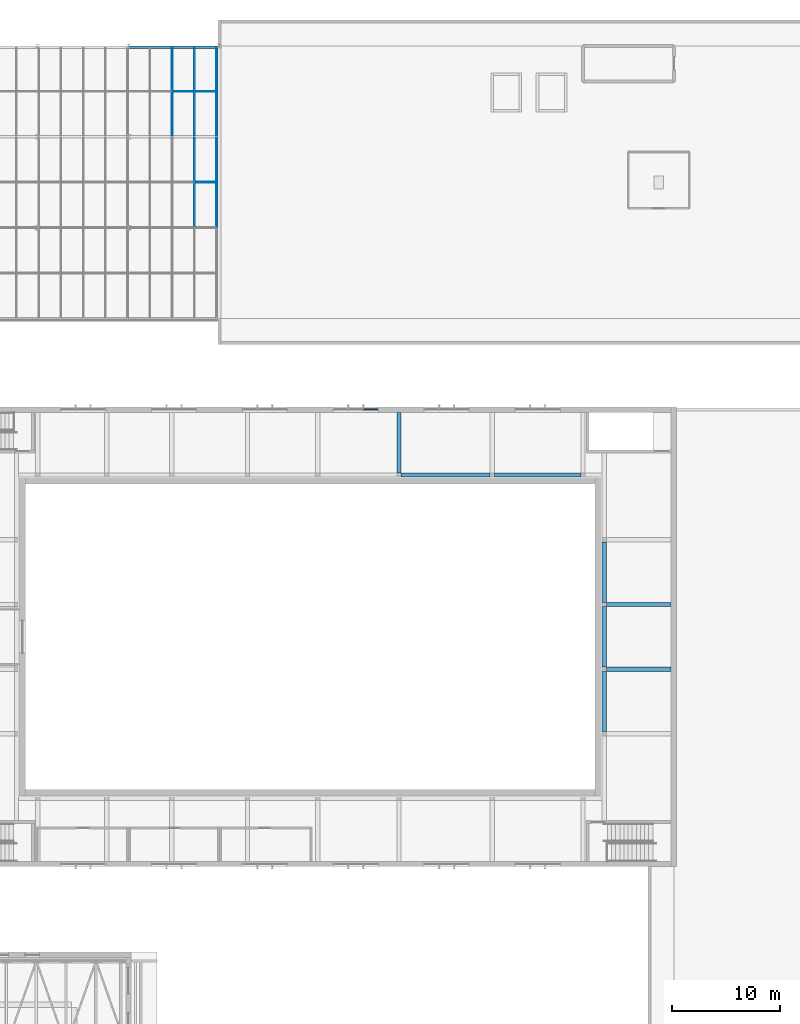
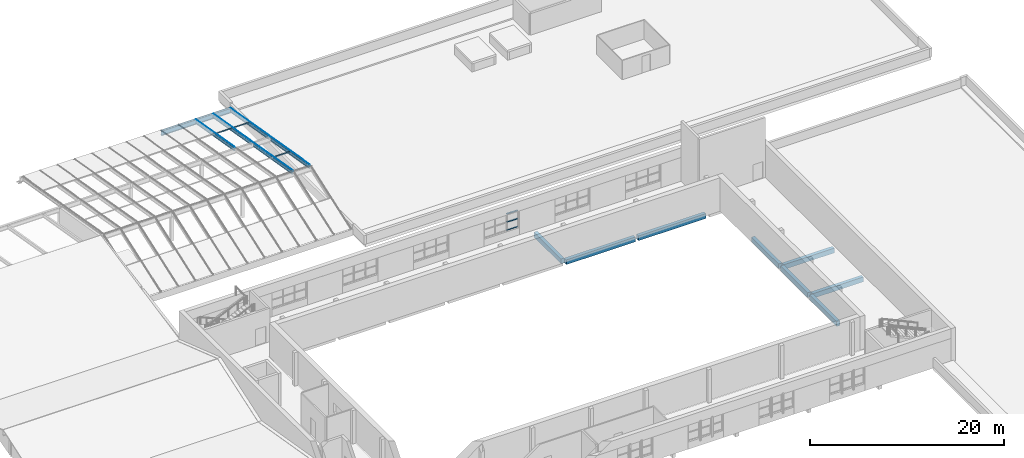
# One storey, part 28 of 60: 14 beams, 11 members, 2 elements without a shape of their own.
"""IFC4 building model written with IfcOpenShell, lengths in metres."""

from ifc_helpers import new_model, si_unit, direction, frame, origin, origin_2d, place, context, subcontext, project, spatial, rectangle, i_section, extrude, material, material_profile, profile_set, type_object, element, aggregate, save


model = new_model("IFC4")

# Units and contexts
model_context = context("Model", 3, precision=1e-05, world=origin(), true_north=direction((0.0, 1.0)))
body_context = subcontext(model_context, "Body", "Model", "MODEL_VIEW")
ifc_project = project(units=[si_unit("LENGTHUNIT", "METRE"), si_unit("AREAUNIT", "SQUARE_METRE"), si_unit("VOLUMEUNIT", "CUBIC_METRE"), si_unit("PLANEANGLEUNIT", "RADIAN"), si_unit("MASSUNIT", "GRAM", prefix="KILO")], contexts=[model_context])

# Site, building, storey
site_placement = place(None, origin())
site = spatial("IfcSite", under=ifc_project, at=site_placement, CompositionType="ELEMENT")
building_placement = place(site_placement, origin())
building = spatial("IfcBuilding", under=site, at=building_placement, Name="Ljudholm Concert House", CompositionType="ELEMENT")
storey_placement = place(building_placement, frame((0.0, 0.0, 15.0)))
storey = spatial("IfcBuildingStorey", under=building, at=storey_placement, Name="L03", CompositionType="ELEMENT", Elevation=15.0)

# Curtain wall, members
ifc_material_1 = material(Name="Aluminium roof glazing with impact-rated laminated glass", Category="aluminium")
curtain_wall_type_1 = type_object("IfcCurtainWallType", Name="GLAZED LANTERN ROOF", PredefinedType="NOTDEFINED", material=ifc_material_1)
curtain_wall_1_placement = place(storey_placement, origin())
curtain_wall_1 = element("IfcCurtainWall", 1, at=curtain_wall_1_placement, inside=storey, type_object=curtain_wall_type_1, Name="Glazed lantern roof", PredefinedType="NOTDEFINED")
ifc_material_2 = material(Name="Aluminium extrusion", Category="aluminium")
ifc_material_profile_1 = material_profile(ifc_material_2, rectangle(XDim=0.06005859375, YDim=0.05810546875, at=origin_2d()), Name="LANTERN GLAZING BAR 60x58")
ifc_profile_set_1 = profile_set([ifc_material_profile_1], Name="Aluminium extrusion")
member_type_1 = type_object("IfcMemberType", Name="LANTERN GLAZING BAR 60x58", PredefinedType="MULLION", material=ifc_profile_set_1)
member_1_placement = place(storey_placement, frame((52.095947265625, 113.320068359375, 3.580078125), z_axis=(0.0, 0.985738215481, -0.168285978444), x_axis=(-1.0, 0.0, 0.0)))
member_1 = element("IfcMember", 2, at=member_1_placement, type_object=member_type_1, Name="Glazing bar", PredefinedType="MULLION", context=body_context, shape_type="SweptSolid", body=[
    extrude(rectangle(XDim=0.06005859375, YDim=0.05810546875, at=origin_2d()), origin(), (0.0, 0.0, 1.0), 8.278076171875),
])
member_2_placement = place(storey_placement, frame((54.14990234375, 113.320068359375, 3.580078125), z_axis=(0.0, 0.985738215481, -0.168285978444), x_axis=(-1.0, 0.0, 0.0)))
member_2 = element("IfcMember", 3, at=member_2_placement, type_object=member_type_1, Name="Glazing bar", PredefinedType="MULLION", context=body_context, shape_type="SweptSolid", body=[
    extrude(rectangle(XDim=0.06005859375, YDim=0.05810546875, at=origin_2d()), origin(), (0.0, 0.0, 1.0), 8.278076171875),
])
member_3_placement = place(storey_placement, frame((50.041748046875, 121.719970703125, 2.14599609375), z_axis=(0.0, 0.985741145728, -0.168268813569), x_axis=(-1.0, 0.0, 0.0)))
member_3 = element("IfcMember", 4, at=member_3_placement, type_object=member_type_1, Name="Glazing bar", PredefinedType="MULLION", context=body_context, shape_type="SweptSolid", body=[
    extrude(rectangle(XDim=0.06005859375, YDim=0.05810546875, at=origin_2d()), origin(), (0.0, 0.0, 1.0), 8.161376953125),
])
member_4_placement = place(storey_placement, frame((52.095947265625, 121.719970703125, 2.14599609375), z_axis=(0.0, 0.985741145728, -0.168268813569), x_axis=(-1.0, 0.0, 0.0)))
member_4 = element("IfcMember", 5, at=member_4_placement, type_object=member_type_1, Name="Glazing bar", PredefinedType="MULLION", context=body_context, shape_type="SweptSolid", body=[
    extrude(rectangle(XDim=0.06005859375, YDim=0.05810546875, at=origin_2d()), origin(), (0.0, 0.0, 1.0), 8.161376953125),
])
member_5_placement = place(storey_placement, frame((54.14990234375, 121.719970703125, 2.14599609375), z_axis=(0.0, 0.985741145728, -0.168268813569), x_axis=(-1.0, 0.0, 0.0)))
member_5 = element("IfcMember", 6, at=member_5_placement, type_object=member_type_1, Name="Glazing bar", PredefinedType="MULLION", context=body_context, shape_type="SweptSolid", body=[
    extrude(rectangle(XDim=0.06005859375, YDim=0.05810546875, at=origin_2d()), origin(), (0.0, 0.0, 1.0), 8.161376953125),
])
ifc_material_3 = material(Name="Aluminium extrusion", Category="aluminium")
ifc_material_profile_2 = material_profile(ifc_material_3, rectangle(XDim=0.06005859375, YDim=0.080078125, at=origin_2d()), Name="LANTERN TRANSOM 60x80")
ifc_profile_set_2 = profile_set([ifc_material_profile_2], Name="Aluminium extrusion")
member_type_2 = type_object("IfcMemberType", Name="LANTERN TRANSOM 60x80", PredefinedType="USERDEFINED", material=ifc_profile_set_2)
member_6_placement = place(storey_placement, frame((52.166259765625, 117.39990234375, 2.814697265625), z_axis=(1.0, 0.0, 0.0), x_axis=(0.0, 1.0, 0.0)))
member_6 = element("IfcMember", 7, at=member_6_placement, type_object=member_type_2, Name="Lantern transom", ObjectType="TRANSOM", PredefinedType="USERDEFINED", context=body_context, shape_type="SweptSolid", body=[
    extrude(rectangle(XDim=0.06005859375, YDim=0.080078125, at=origin_2d()), origin(), (0.0, 0.0, 1.0), 1.913330078125),
])
member_7_placement = place(storey_placement, frame((50.112060546875, 125.800048828125, 1.380615234375), z_axis=(1.0, 0.0, 0.0), x_axis=(0.0, 1.0, 0.0)))
member_7 = element("IfcMember", 8, at=member_7_placement, type_object=member_type_2, Name="Lantern transom", ObjectType="TRANSOM", PredefinedType="USERDEFINED", context=body_context, shape_type="SweptSolid", body=[
    extrude(rectangle(XDim=0.06005859375, YDim=0.080078125, at=origin_2d()), origin(), (0.0, 0.0, 1.0), 1.913330078125),
])
member_8_placement = place(storey_placement, frame((52.166259765625, 125.800048828125, 1.380615234375), z_axis=(1.0, 0.0, 0.0), x_axis=(0.0, 1.0, 0.0)))
member_8 = element("IfcMember", 9, at=member_8_placement, type_object=member_type_2, Name="Lantern transom", ObjectType="TRANSOM", PredefinedType="USERDEFINED", context=body_context, shape_type="SweptSolid", body=[
    extrude(rectangle(XDim=0.06005859375, YDim=0.080078125, at=origin_2d()), origin(), (0.0, 0.0, 1.0), 1.913330078125),
])
aggregate(curtain_wall_1, [member_1, member_2, member_6, member_3, member_4, member_5, member_7, member_8])

# Beams
ifc_material_4 = material(Name="Concrete 6,500 psi", Category="concrete")
ifc_material_profile_3 = material_profile(ifc_material_4, rectangle(XDim=0.39990234375, YDim=0.60009765625, at=origin_2d()), Name="RC BEAM 400x600")
ifc_profile_set_3 = profile_set([ifc_material_profile_3], Name="Concrete 6,500 psi")
beam_type_1 = type_object("IfcBeamType", Name="RC BEAM 400x600", PredefinedType="BEAM", material=ifc_profile_set_3)
beam_1_placement = place(storey_placement, frame((71.199951171875, 90.35009765625, -0.550048828125), z_axis=(1.0, 0.0, 0.0), x_axis=(0.0, 1.0, 0.0)))
element("IfcBeam", 10, at=beam_1_placement, inside=storey, type_object=beam_type_1, Name="Ring beam", PredefinedType="BEAM", context=body_context, shape_type="SweptSolid", body=[
    extrude(rectangle(XDim=0.39990234375, YDim=0.60009765625, at=origin_2d()), origin(), (0.0, 0.0, 1.0), 8.199951171875),
])
beam_2_placement = place(storey_placement, frame((79.800048828125, 90.35009765625, -0.550048828125), z_axis=(1.0, 0.0, 0.0), x_axis=(0.0, 1.0, 0.0)))
element("IfcBeam", 11, at=beam_2_placement, inside=storey, type_object=beam_type_1, Name="Ring beam", PredefinedType="BEAM", context=body_context, shape_type="SweptSolid", body=[
    extrude(rectangle(XDim=0.39990234375, YDim=0.60009765625, at=origin_2d()), origin(), (0.0, 0.0, 1.0), 8.0),
])
beam_3_placement = place(storey_placement, frame((89.949951171875, 66.6298828125, -0.550048828125), z_axis=(0.0, 1.0, 0.0), x_axis=(-1.0, 0.0, 0.0)))
element("IfcBeam", 12, at=beam_3_placement, inside=storey, type_object=beam_type_1, Name="Ring beam", PredefinedType="BEAM", context=body_context, shape_type="SweptSolid", body=[
    extrude(rectangle(XDim=0.39990234375, YDim=0.60009765625, at=origin_2d()), origin(), (0.0, 0.0, 1.0), 5.580078125),
])
for number, where, z_axis, x_axis, name in (
    (13, (89.949951171875, 72.610107421875, -0.550048828125), (0.0, 1.0, 0.0), (-1.0, 0.0, 0.0), "Ring beam"),
    (14, (89.949951171875, 78.590087890625, -0.550048828125), (0.0, 1.0, 0.0), (-1.0, 0.0, 0.0), "Ring beam"),
):
    element("IfcBeam", number, at=place(storey_placement, frame(where, z_axis=z_axis, x_axis=x_axis)), inside=storey, type_object=beam_type_1, Name=name, PredefinedType="BEAM", context=body_context, shape_type="SweptSolid", body=[
        extrude(rectangle(XDim=0.39990234375, YDim=0.60009765625, at=origin_2d()), origin(), (0.0, 0.0, 1.0), 5.579833984375),
    ])
beam_4_placement = place(storey_placement, frame((71.0, 90.550048828125, -0.550048828125), z_axis=(0.0, 1.0, 0.0), x_axis=(-1.0, 0.0, 0.0)))
element("IfcBeam", 15, at=beam_4_placement, inside=storey, type_object=beam_type_1, Name="Ring cross beam", PredefinedType="BEAM", context=body_context, shape_type="SweptSolid", body=[
    extrude(rectangle(XDim=0.39990234375, YDim=0.60009765625, at=origin_2d()), origin(), (0.0, 0.0, 1.0), 5.599853515625),
])
for number, where, z_axis, x_axis, name in (
    (16, (90.14990234375, 72.409912109375, -0.550048828125), (1.0, 0.0, 0.0), (0.0, 1.0, 0.0), "Ring cross beam"),
    (17, (90.14990234375, 78.389892578125, -0.550048828125), (1.0, 0.0, 0.0), (0.0, 1.0, 0.0), "Ring cross beam"),
):
    element("IfcBeam", number, at=place(storey_placement, frame(where, z_axis=z_axis, x_axis=x_axis)), inside=storey, type_object=beam_type_1, Name=name, PredefinedType="BEAM", context=body_context, shape_type="SweptSolid", body=[
        extrude(rectangle(XDim=0.39990234375, YDim=0.60009765625, at=origin_2d()), origin(), (0.0, 0.0, 1.0), 6.0),
    ])
ifc_material_5 = material(Name="Steel ASTM A992", Category="steel")
ifc_material_profile_4 = material_profile(ifc_material_5, i_section(OverallWidth=0.177734375, OverallDepth=0.406494140625, WebThickness=0.0078125, FlangeThickness=0.012939453125, FilletRadius=0.01025390625, at=origin_2d()), Name="W16X40")
ifc_profile_set_4 = profile_set([ifc_material_profile_4], Name="Steel ASTM A992")
beam_type_2 = type_object("IfcBeamType", Name="STEEL BEAM W16X40", PredefinedType="BEAM", material=ifc_profile_set_4)
for number, where, z_axis, x_axis, name in (
    (18, (52.095947265625, 113.348388671875, 3.340087890625), (0.0, 0.985740150522, -0.168274643513), (-1.0, 0.0, 0.0), "Roof rafter"),
    (19, (54.14990234375, 113.348388671875, 3.340087890625), (0.0, 0.985740150522, -0.168274643513), (-1.0, 0.0, 0.0), "Roof rafter"),
):
    element("IfcBeam", number, at=place(storey_placement, frame(where, z_axis=z_axis, x_axis=x_axis)), inside=storey, type_object=beam_type_2, Name=name, PredefinedType="BEAM", context=body_context, shape_type="SweptSolid", body=[
        extrude(i_section(OverallWidth=0.177734375, OverallDepth=0.406494140625, WebThickness=0.0078125, FlangeThickness=0.012939453125, FilletRadius=0.01025390625, at=origin_2d()), origin(), (0.0, 0.0, 1.0), 8.220458984375),
    ])
for number, where, z_axis, x_axis, name in (
    (20, (50.041748046875, 121.74853515625, 1.906005859375), (0.0, 0.985742276271, -0.168262190561), (-1.0, 0.0, 0.0), "Roof rafter"),
    (21, (52.095947265625, 121.74853515625, 1.906005859375), (0.0, 0.985742276271, -0.168262190561), (-1.0, 0.0, 0.0), "Roof rafter"),
    (22, (54.14990234375, 121.74853515625, 1.906005859375), (0.0, 0.985742276271, -0.168262190561), (-1.0, 0.0, 0.0), "Roof rafter"),
):
    element("IfcBeam", number, at=place(storey_placement, frame(where, z_axis=z_axis, x_axis=x_axis)), inside=storey, type_object=beam_type_2, Name=name, PredefinedType="BEAM", context=body_context, shape_type="SweptSolid", body=[
        extrude(i_section(OverallWidth=0.177734375, OverallDepth=0.406494140625, WebThickness=0.0078125, FlangeThickness=0.012939453125, FilletRadius=0.01025390625, at=origin_2d()), origin(), (0.0, 0.0, 1.0), 8.103515625),
    ])
ifc_material_6 = material(Name="Steel ASTM A992", Category="steel")
ifc_material_profile_5 = material_profile(ifc_material_6, i_section(OverallWidth=0.22900390625, OverallDepth=0.612060546875, WebThickness=0.011962890625, FlangeThickness=0.01953125, FilletRadius=0.0126953125, at=origin_2d()), Name="W24X84")
ifc_profile_set_5 = profile_set([ifc_material_profile_5], Name="Steel ASTM A992")
beam_type_3 = type_object("IfcBeamType", Name="STEEL BEAM W24X84", PredefinedType="BEAM", material=ifc_profile_set_5)
beam_5_placement = place(storey_placement, frame((46.0, 129.885009765625, 0.417236328125), z_axis=(1.0, 0.0, 0.0), x_axis=(0.0, 1.0, 0.0)))
element("IfcBeam", 23, at=beam_5_placement, inside=storey, type_object=beam_type_3, Name="Roof girder", PredefinedType="BEAM", context=body_context, shape_type="SweptSolid", body=[
    extrude(i_section(OverallWidth=0.22900390625, OverallDepth=0.612060546875, WebThickness=0.011962890625, FlangeThickness=0.01953125, FilletRadius=0.0126953125, at=origin_2d()), origin(), (0.0, 0.0, 1.0), 8.25),
])

# Curtain wall, members
ifc_material_7 = material(Name="Aluminium curtain wall with impact-rated laminated glass", Category="aluminium")
curtain_wall_type_2 = type_object("IfcCurtainWallType", Name="CURTAIN WALL 1400", PredefinedType="NOTDEFINED", material=ifc_material_7)
curtain_wall_2_placement = place(storey_placement, origin())
curtain_wall_2 = element("IfcCurtainWall", 24, at=curtain_wall_2_placement, inside=storey, type_object=curtain_wall_type_2, Name="Promenade curtain wall", PredefinedType="NOTDEFINED")
ifc_material_8 = material(Name="Aluminium extrusion", Category="aluminium")
ifc_material_profile_6 = material_profile(ifc_material_8, rectangle(XDim=0.1201171875, YDim=0.06005859375, at=origin_2d()), Name="TRANSOM 60x120")
ifc_profile_set_6 = profile_set([ifc_material_profile_6], Name="Aluminium extrusion")
member_type_3 = type_object("IfcMemberType", Name="TRANSOM 60x120", PredefinedType="USERDEFINED", material=ifc_profile_set_6)
member_9_placement = place(storey_placement, frame((67.719970703125, 96.39990234375, 0.929931640625), z_axis=(1.0, 0.0, 0.0), x_axis=(0.0, 1.0, 0.0)))
member_9 = element("IfcMember", 25, at=member_9_placement, type_object=member_type_3, Name="Transom", ObjectType="TRANSOM", PredefinedType="USERDEFINED", context=body_context, shape_type="SweptSolid", body=[
    extrude(rectangle(XDim=0.1201171875, YDim=0.06005859375, at=origin_2d()), origin(), (0.0, 0.0, 1.0), 1.2900390625),
])
member_10_placement = place(storey_placement, frame((67.719970703125, 96.39990234375, 1.949951171875), z_axis=(1.0, 0.0, 0.0), x_axis=(0.0, 1.0, 0.0)))
member_10 = element("IfcMember", 26, at=member_10_placement, type_object=member_type_3, Name="Transom", ObjectType="TRANSOM", PredefinedType="USERDEFINED", context=body_context, shape_type="SweptSolid", body=[
    extrude(rectangle(XDim=0.1201171875, YDim=0.06005859375, at=origin_2d()), origin(), (0.0, 0.0, 1.0), 1.2900390625),
])
member_11_placement = place(storey_placement, frame((67.719970703125, 96.39990234375, 2.969970703125), z_axis=(1.0, 0.0, 0.0), x_axis=(0.0, 1.0, 0.0)))
member_11 = element("IfcMember", 27, at=member_11_placement, type_object=member_type_3, Name="Transom", ObjectType="TRANSOM", PredefinedType="USERDEFINED", context=body_context, shape_type="SweptSolid", body=[
    extrude(rectangle(XDim=0.1201171875, YDim=0.06005859375, at=origin_2d()), origin(), (0.0, 0.0, 1.0), 1.2900390625),
])
aggregate(curtain_wall_2, [member_9, member_10, member_11])

save(model, "model.ifc")
